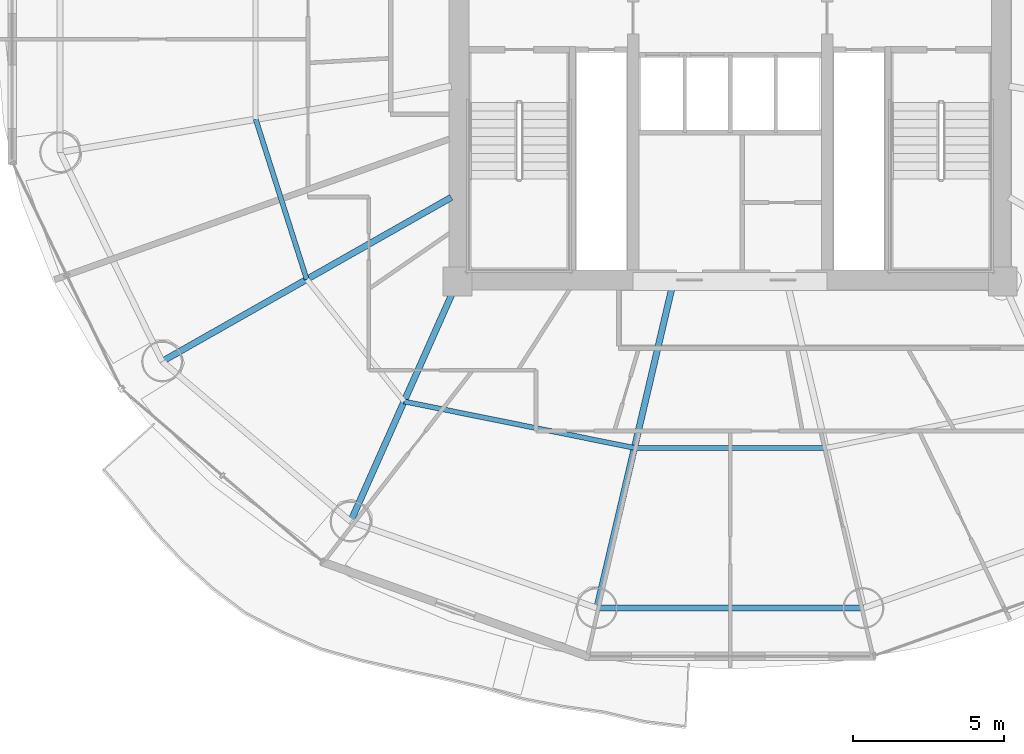
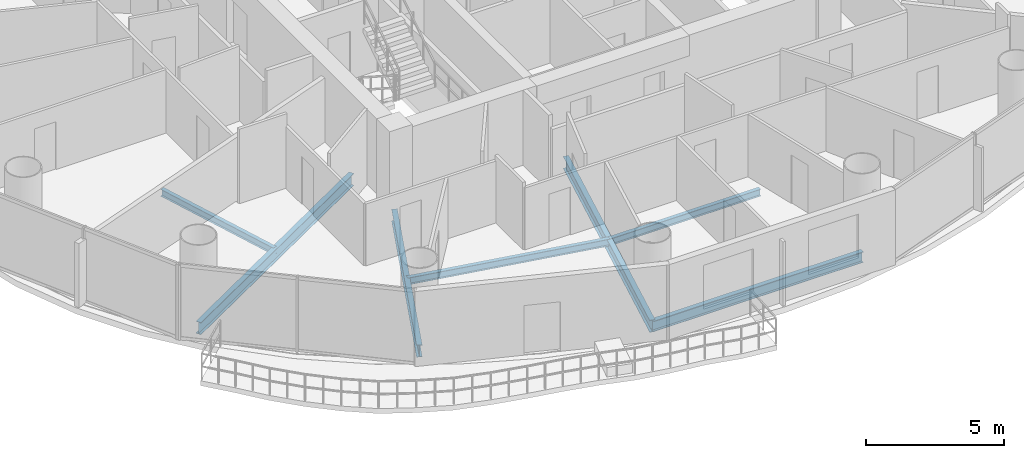
# One storey, part 4 of 27: 7 beams.
"""IFC4 building model written with IfcOpenShell, lengths in metres."""

from ifc_helpers import new_model, si_unit, direction, frame, origin, origin_2d, place, context, subcontext, project, spatial, i_section, extrude, material, material_profile, profile_set, type_object, element, save


model = new_model("IFC4")

# Units and contexts
model_context = context("Model", 3, precision=1e-05, world=origin(), true_north=direction((-0.2419218956, 0.970295726276)))
body_context = subcontext(model_context, "Body", "Model", "MODEL_VIEW")
ifc_project = project(units=[si_unit("LENGTHUNIT", "METRE"), si_unit("AREAUNIT", "SQUARE_METRE"), si_unit("VOLUMEUNIT", "CUBIC_METRE"), si_unit("PLANEANGLEUNIT", "RADIAN"), si_unit("MASSUNIT", "GRAM", prefix="KILO")], contexts=[model_context])

# Site, building, storey
site_placement = place(None, origin())
site = spatial("IfcSite", under=ifc_project, at=site_placement, CompositionType="ELEMENT")
building_placement = place(site_placement, origin())
building = spatial("IfcBuilding", under=site, at=building_placement, Name="Cobrevalo Terracotta Tower", CompositionType="ELEMENT")
storey_placement = place(building_placement, frame((0.0, 0.0, 153.39990234375)))
storey = spatial("IfcBuildingStorey", under=building, at=storey_placement, Name="L40", CompositionType="ELEMENT", Elevation=153.39990234375)

# Beams
ifc_material = material(Name="Steel S355", Category="steel")
ifc_material_profile_1 = material_profile(ifc_material, i_section(OverallWidth=0.2109375, OverallDepth=0.5390625, WebThickness=0.01171875, FlangeThickness=0.018798828125, at=origin_2d()), Name="W 530x109")
ifc_profile_set_1 = profile_set([ifc_material_profile_1], Name="Steel S355")
beam_type_1 = type_object("IfcBeamType", Name="Structural Beam W 530x109 (Steel S355)", PredefinedType="BEAM", material=ifc_profile_set_1)
beam_1_placement = place(storey_placement, frame((19.250244140625, 16.160888671875, -0.539306640625), z_axis=(0.869743726706, 0.493503647257, 0.0), x_axis=(-0.493503647257, 0.869743726706, 0.0)))
element("IfcBeam", 1, at=beam_1_placement, inside=storey, type_object=beam_type_1, Name="L40 radial floor girder 10", PredefinedType="BEAM", context=body_context, shape_type="SweptSolid", body=[
    extrude(i_section(OverallWidth=0.2109375, OverallDepth=0.5390625, WebThickness=0.01171875, FlangeThickness=0.018798828125, at=origin_2d()), origin(), (0.0, 0.0, 1.0), 10.97412109375),
])
beam_2_placement = place(storey_placement, frame((25.471923828125, 10.87744140625, -0.539306640625), z_axis=(0.406804395691, 0.913515289224, 0.0), x_axis=(-0.913515289224, 0.406804395691, 0.0)))
element("IfcBeam", 2, at=beam_2_placement, inside=storey, type_object=beam_type_1, Name="L40 radial floor girder 11", PredefinedType="BEAM", context=body_context, shape_type="SweptSolid", body=[
    extrude(i_section(OverallWidth=0.2109375, OverallDepth=0.5390625, WebThickness=0.01171875, FlangeThickness=0.018798828125, at=origin_2d()), origin(), (0.0, 0.0, 1.0), 8.672607421875),
])
beam_3_placement = place(storey_placement, frame((33.600830078125, 8.01806640625, -0.539306640625), z_axis=(0.228045854186, 0.973650393308, 0.0), x_axis=(-0.973650393308, 0.228045854186, 0.0)))
element("IfcBeam", 3, at=beam_3_placement, inside=storey, type_object=beam_type_1, Name="L40 radial floor girder 12", PredefinedType="BEAM", context=body_context, shape_type="SweptSolid", body=[
    extrude(i_section(OverallWidth=0.2109375, OverallDepth=0.5390625, WebThickness=0.01171875, FlangeThickness=0.018798828125, at=origin_2d()), origin(), (0.0, 0.0, 1.0), 10.863037109375),
])
ifc_material_profile_2 = material_profile(ifc_material, i_section(OverallWidth=0.1650390625, OverallDepth=0.31005859375, WebThickness=0.005859375, FlangeThickness=0.009765625, at=origin_2d()), Name="W 310x38.7")
ifc_profile_set_2 = profile_set([ifc_material_profile_2], Name="Steel S355")
beam_type_2 = type_object("IfcBeamType", Name="Structural Joist W 310x38.7 (Steel S355)", PredefinedType="JOIST", material=ifc_profile_set_2)
beam_4_placement = place(storey_placement, frame((22.339111328125, 24.154541015625, -0.4248046875), z_axis=(0.303497928386, -0.952832098255, 0.0), x_axis=(0.952832098255, 0.303497928386, 0.0)))
element("IfcBeam", 4, at=beam_4_placement, inside=storey, type_object=beam_type_2, Name="L40 circumferential secondary floor joist 09", PredefinedType="JOIST", context=body_context, shape_type="SweptSolid", body=[
    extrude(i_section(OverallWidth=0.1650390625, OverallDepth=0.31005859375, WebThickness=0.005859375, FlangeThickness=0.009765625, at=origin_2d()), origin(), (0.0, 0.0, 1.0), 5.54736328125),
])
beam_5_placement = place(storey_placement, frame((27.23583984375, 14.838623046875, -0.4248046875), z_axis=(0.980293928329, -0.197544461026, 0.0), x_axis=(0.197544461026, 0.980293928329, 0.0)))
element("IfcBeam", 5, at=beam_5_placement, inside=storey, type_object=beam_type_2, Name="L40 circumferential secondary floor joist 11", PredefinedType="JOIST", context=body_context, shape_type="SweptSolid", body=[
    extrude(i_section(OverallWidth=0.1650390625, OverallDepth=0.31005859375, WebThickness=0.005859375, FlangeThickness=0.009765625, at=origin_2d()), origin(), (0.0, 0.0, 1.0), 7.75634765625),
])
beam_6_placement = place(storey_placement, frame((34.83935546875, 13.306396484375, -0.4248046875), z_axis=(1.0, 0.0, 0.0), x_axis=(0.0, 1.0, 0.0)))
element("IfcBeam", 6, at=beam_6_placement, inside=storey, type_object=beam_type_2, Name="L40 circumferential secondary floor joist 12", PredefinedType="JOIST", context=body_context, shape_type="SweptSolid", body=[
    extrude(i_section(OverallWidth=0.1650390625, OverallDepth=0.31005859375, WebThickness=0.005859375, FlangeThickness=0.009765625, at=origin_2d()), origin(), (0.0, 0.0, 1.0), 6.3212890625),
])
ifc_material_profile_3 = material_profile(ifc_material, i_section(OverallWidth=0.194091796875, OverallDepth=0.468994140625, WebThickness=0.011474609375, FlangeThickness=0.0205078125, at=origin_2d()), Name="W 460x106")
ifc_profile_set_3 = profile_set([ifc_material_profile_3], Name="Steel S355")
beam_type_3 = type_object("IfcBeamType", Name="Structural Spandrel W 460x106 (Steel S355)", PredefinedType="SPANDREL", material=ifc_profile_set_3)
beam_7_placement = place(storey_placement, frame((33.600830078125, 8.01806640625, -0.50439453125), z_axis=(1.0, 0.0, 0.0), x_axis=(0.0, 1.0, 0.0)))
element("IfcBeam", 7, at=beam_7_placement, inside=storey, type_object=beam_type_3, Name="L40 perimeter ring spandrel 12", PredefinedType="SPANDREL", context=body_context, shape_type="SweptSolid", body=[
    extrude(i_section(OverallWidth=0.194091796875, OverallDepth=0.468994140625, WebThickness=0.011474609375, FlangeThickness=0.0205078125, at=origin_2d()), origin(), (0.0, 0.0, 1.0), 8.79833984375),
])

save(model, "model.ifc")
